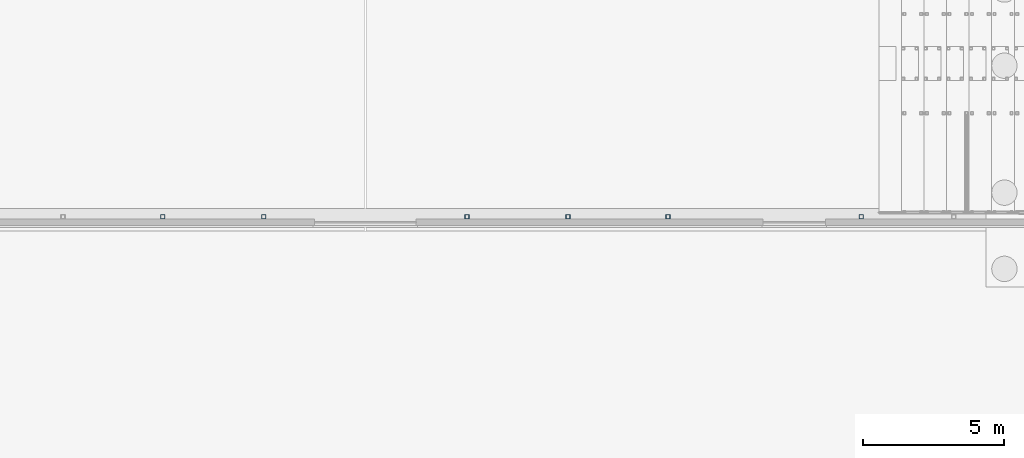
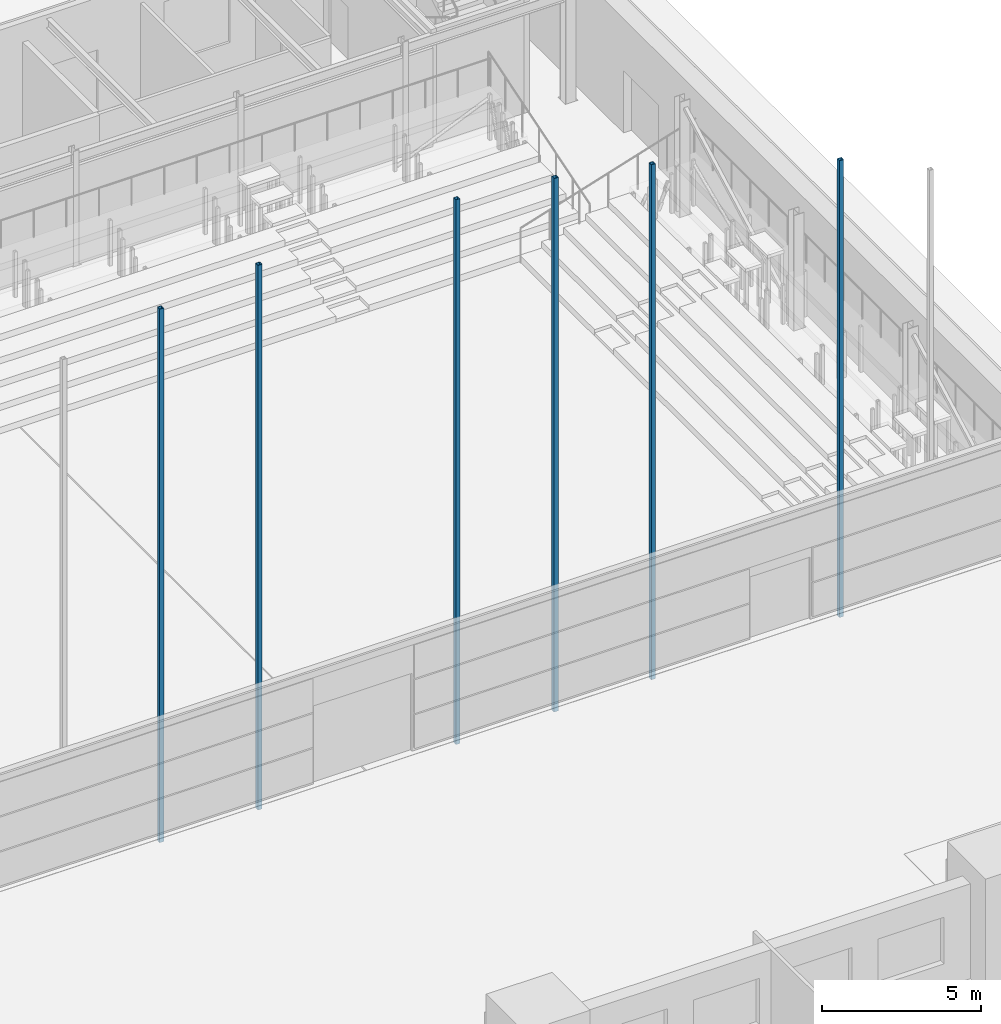
# One storey, part 48 of 139: 6 members.
"""IFC4 building model written with IfcOpenShell, lengths in metres."""

from ifc_helpers import new_model, si_unit, direction, frame, origin, origin_2d, place, context, subcontext, project, spatial, hollow_rectangle, extrude, material, material_profile, profile_set, type_object, element, save


model = new_model("IFC4")

# Units and contexts
model_context = context("Model", 3, precision=1e-05, world=origin(), true_north=direction((0.0, 1.0)))
body_context = subcontext(model_context, "Body", "Model", "MODEL_VIEW")
ifc_project = project(units=[si_unit("LENGTHUNIT", "METRE"), si_unit("AREAUNIT", "SQUARE_METRE"), si_unit("VOLUMEUNIT", "CUBIC_METRE"), si_unit("PLANEANGLEUNIT", "RADIAN"), si_unit("MASSUNIT", "GRAM", prefix="KILO")], contexts=[model_context])

# Site, building, storey
site_placement = place(None, origin())
site = spatial("IfcSite", under=ifc_project, at=site_placement, CompositionType="ELEMENT")
building_placement = place(site_placement, origin())
building = spatial("IfcBuilding", under=site, at=building_placement, Name="Verrick Yard Athletic Hall", CompositionType="ELEMENT")
storey_placement = place(building_placement, origin())
storey = spatial("IfcBuildingStorey", under=building, at=storey_placement, Name="L00", CompositionType="ELEMENT", Elevation=0.0)

# Members
ifc_material = material(Name="Structural steel HSS Class C 350W (CSA G40.20/G40.21)", Category="steel")
ifc_material_profile = material_profile(ifc_material, hollow_rectangle(XDim=0.15234375, YDim=0.15234375, WallThickness=0.009521484375, at=origin_2d()), Name="HSS152x152x9.5")
ifc_profile_set = profile_set([ifc_material_profile], Name="Structural steel HSS Class C 350W (CSA G40.20/G40.21)")
member_type = type_object("IfcMemberType", Name="HB gable post HSS152x152x9.5", PredefinedType="POST", material=ifc_profile_set)
member_1_placement = place(storey_placement, frame((138.41552734375, 72.49462890625, -0.5), z_axis=(0.0, 0.0, 1.0), x_axis=(1.0, 0.0, 0.0)))
element("IfcMember", 1, at=member_1_placement, inside=storey, type_object=member_type, Name="HB-GP-AS-5", PredefinedType="POST", context=body_context, shape_type="SweptSolid", body=[
    extrude(hollow_rectangle(XDim=0.15234375, YDim=0.15234375, WallThickness=0.009521484375, at=origin_2d()), origin(), (0.0, 0.0, 1.0), 20.548095703125),
])
for number, where, z_axis, x_axis, name in (
    (2, (141.996826171875, 72.49462890625, -0.5), (0.0, 0.0, 1.0), (1.0, 0.0, 0.0), "HB-GP-AS-6"),
    (3, (149.203369140625, 72.49462890625, -0.5), (0.0, 0.0, 1.0), (1.0, 0.0, 0.0), "HB-GP-AS-8"),
):
    element("IfcMember", number, at=place(storey_placement, frame(where, z_axis=z_axis, x_axis=x_axis)), inside=storey, type_object=member_type, Name=name, PredefinedType="POST", context=body_context, shape_type="SweptSolid", body=[
        extrude(hollow_rectangle(XDim=0.15234375, YDim=0.15234375, WallThickness=0.009521484375, at=origin_2d()), origin(), (0.0, 0.0, 1.0), 20.97900390625),
    ])
member_2_placement = place(storey_placement, frame((152.784423828125, 72.49462890625, -0.5), z_axis=(0.0, 0.0, 1.0), x_axis=(1.0, 0.0, 0.0)))
element("IfcMember", 4, at=member_2_placement, inside=storey, type_object=member_type, Name="HB-GP-AS-9", PredefinedType="POST", context=body_context, shape_type="SweptSolid", body=[
    extrude(hollow_rectangle(XDim=0.15234375, YDim=0.15234375, WallThickness=0.009521484375, at=origin_2d()), origin(), (0.0, 0.0, 1.0), 20.548095703125),
])
member_3_placement = place(storey_placement, frame((156.321533203125, 72.49462890625, -0.5), z_axis=(0.0, 0.0, 1.0), x_axis=(1.0, 0.0, 0.0)))
element("IfcMember", 5, at=member_3_placement, inside=storey, type_object=member_type, Name="HB-GP-AS-10", PredefinedType="POST", context=body_context, shape_type="SweptSolid", body=[
    extrude(hollow_rectangle(XDim=0.15234375, YDim=0.15234375, WallThickness=0.009521484375, at=origin_2d()), origin(), (0.0, 0.0, 1.0), 19.8369140625),
])
member_4_placement = place(storey_placement, frame((163.176513671875, 72.49462890625, -0.5), z_axis=(0.0, 0.0, 1.0), x_axis=(1.0, 0.0, 0.0)))
element("IfcMember", 6, at=member_4_placement, inside=storey, type_object=member_type, Name="HB-GP-AS-12", PredefinedType="POST", context=body_context, shape_type="SweptSolid", body=[
    extrude(hollow_rectangle(XDim=0.15234375, YDim=0.15234375, WallThickness=0.009521484375, at=origin_2d()), origin(), (0.0, 0.0, 1.0), 17.592041015625),
])

save(model, "model.ifc")
